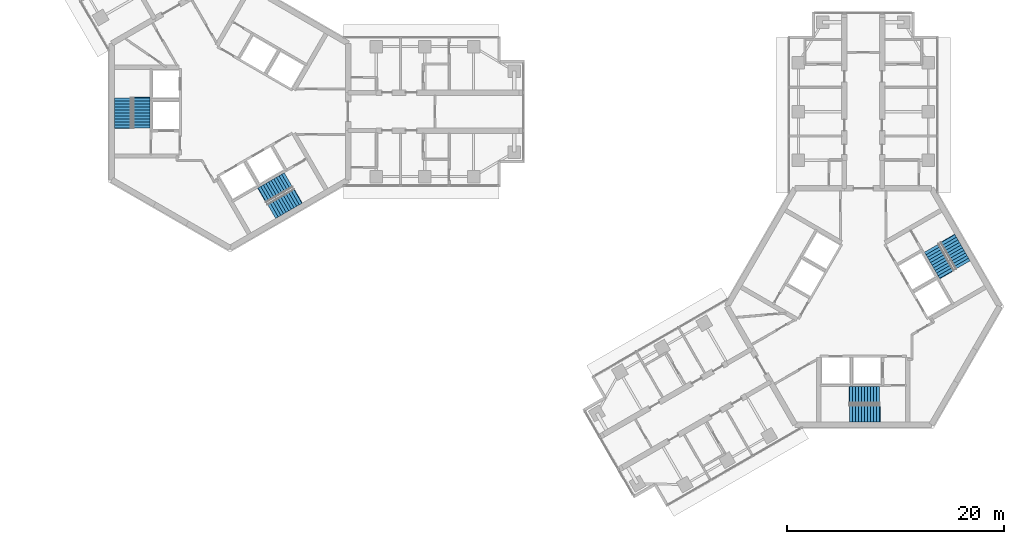
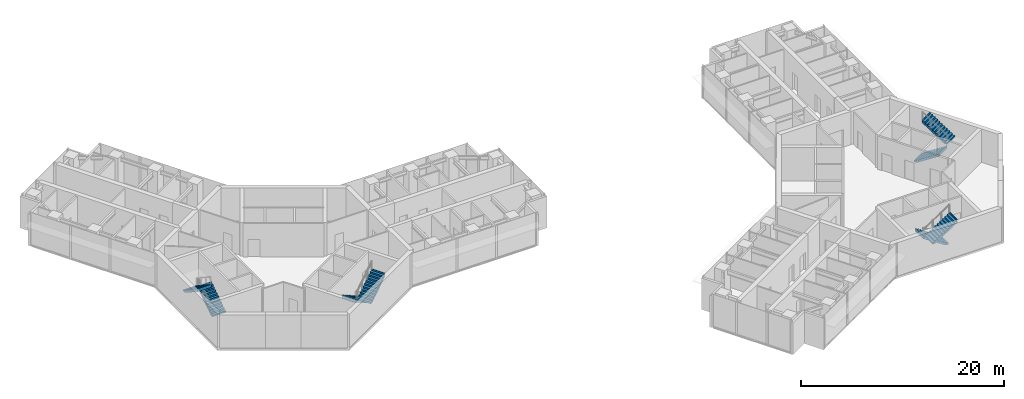
# One storey, part 16 of 17: 8 stair flights, 4 elements without a shape of their own.
"""IFC4 building model written with IfcOpenShell, lengths in metres."""

from ifc_helpers import new_model, si_unit, direction, frame, origin, place, context, subcontext, project, spatial, polyline, outline, extrude, material, type_object, element, aggregate, save


model = new_model("IFC4")

# Units and contexts
model_context = context("Model", 3, precision=1e-05, world=origin(), true_north=direction((0.0, 1.0)))
body_context = subcontext(model_context, "Body", "Model", "MODEL_VIEW")
ifc_project = project(units=[si_unit("LENGTHUNIT", "METRE"), si_unit("AREAUNIT", "SQUARE_METRE"), si_unit("VOLUMEUNIT", "CUBIC_METRE"), si_unit("PLANEANGLEUNIT", "RADIAN"), si_unit("MASSUNIT", "GRAM", prefix="KILO")], contexts=[model_context])

# Site, building, storey
site_placement = place(None, origin())
site = spatial("IfcSite", under=ifc_project, at=site_placement, CompositionType="ELEMENT")
building_placement = place(site_placement, origin())
building = spatial("IfcBuilding", under=site, at=building_placement, Name="Upepo Twin Towers", CompositionType="ELEMENT")
storey_placement = place(building_placement, frame((0.0, 0.0, 210.5)))
storey = spatial("IfcBuildingStorey", under=building, at=storey_placement, Name="L51", CompositionType="ELEMENT", Elevation=210.5)

# Stair, stair flights
ifc_material_1 = material(Name="Concrete C40/50", Category="concrete")
stair_type = type_object("IfcStairType", Name="Core stair, two flights", PredefinedType="HALF_TURN_STAIR", material=ifc_material_1)
stair_1_placement = place(storey_placement, origin())
stair_1 = element("IfcStair", 1, at=stair_1_placement, inside=storey, type_object=stair_type, Name="T1 stair S1 L51", PredefinedType="HALF_TURN_STAIR")
ifc_material_2 = material(Name="Concrete C40/50", Category="concrete")
stair_flight_type = type_object("IfcStairFlightType", Name="Stair flight 1550 RC", PredefinedType="STRAIGHT", material=ifc_material_2)
stair_flight_1_placement = place(storey_placement, frame((-8.175048828125, -1.52001953125, 0.0), z_axis=(0.0, 0.0, 1.0), x_axis=(0.0, 1.0, 0.0)))
stair_flight_1 = element("IfcStairFlight", 2, at=stair_flight_1_placement, type_object=stair_flight_type, Name="Stair S1 flight 1", NumberOfRisers=11, NumberOfTreads=10, PredefinedType="STRAIGHT", RiserHeight=0.181818182, TreadLength=0.28, context=body_context, shape_type="SweptSolid", body=[
    extrude(outline(polyline([(0.0, 0.0), (0.0, 0.181884765625), (0.280029296875, 0.181884765625), (0.280029296875, 0.363525390625), (0.56005859375, 0.363525390625), (0.56005859375, 0.54541015625), (0.840087890625, 0.54541015625), (0.840087890625, 0.727294921875), (1.1201171875, 0.727294921875), (1.1201171875, 0.9091796875), (1.39990234375, 0.9091796875), (1.39990234375, 1.0908203125), (1.679931640625, 1.0908203125), (1.679931640625, 1.272705078125), (1.9599609375, 1.272705078125), (1.9599609375, 1.45458984375), (2.239990234375, 1.45458984375), (2.239990234375, 1.636474609375), (2.52001953125, 1.636474609375), (2.52001953125, 1.818115234375), (2.800048828125, 1.818115234375), (2.800048828125, 2.0), (2.85009765625, 2.0), (2.85009765625, 1.639404296875), (0.3251953125, 0.0), (0.0, 0.0)])), frame((0.0, 0.77490234375, 0.0), z_axis=(0.0, -1.0, 0.0), x_axis=(1.0, 0.0, 0.0)), (0.0, 0.0, 1.0), 1.550048828125),
])
stair_flight_2_placement = place(storey_placement, frame((-9.88330078125, 1.280029296875, 2.0), z_axis=(0.0, 0.0, 1.0), x_axis=(0.0, -1.0, 0.0)))
stair_flight_2 = element("IfcStairFlight", 3, at=stair_flight_2_placement, type_object=stair_flight_type, Name="Stair S1 flight 2", NumberOfRisers=11, NumberOfTreads=10, PredefinedType="STRAIGHT", RiserHeight=0.181818182, TreadLength=0.28, context=body_context, shape_type="SweptSolid", body=[
    extrude(outline(polyline([(0.0, 0.0), (0.0, 0.181884765625), (0.280029296875, 0.181884765625), (0.280029296875, 0.363525390625), (0.56005859375, 0.363525390625), (0.56005859375, 0.54541015625), (0.840087890625, 0.54541015625), (0.840087890625, 0.727294921875), (1.1201171875, 0.727294921875), (1.1201171875, 0.9091796875), (1.39990234375, 0.9091796875), (1.39990234375, 1.0908203125), (1.679931640625, 1.0908203125), (1.679931640625, 1.272705078125), (1.9599609375, 1.272705078125), (1.9599609375, 1.45458984375), (2.239990234375, 1.45458984375), (2.239990234375, 1.636474609375), (2.52001953125, 1.636474609375), (2.52001953125, 1.818115234375), (2.800048828125, 1.818115234375), (2.800048828125, 2.0), (2.85009765625, 2.0), (2.85009765625, 1.639404296875), (0.3251953125, 0.0), (0.0, 0.0)])), frame((0.0, 0.77490234375, 0.0), z_axis=(0.0, -1.0, 0.0), x_axis=(1.0, 0.0, 0.0)), (0.0, 0.0, 1.0), 1.550048828125),
])
aggregate(stair_1, [stair_flight_1, stair_flight_2])

stair_2_placement = place(storey_placement, origin())
stair_2 = element("IfcStair", 4, at=stair_2_placement, inside=storey, type_object=stair_type, Name="T1 stair S2 L51", PredefinedType="HALF_TURN_STAIR")
stair_flight_3_placement = place(storey_placement, frame((5.40380859375, -6.31982421875, 0.0), z_axis=(0.0, 0.0, 1.0), x_axis=(-0.866025403784, -0.5, 0.0)))
stair_flight_3 = element("IfcStairFlight", 5, at=stair_flight_3_placement, type_object=stair_flight_type, Name="Stair S2 flight 1", NumberOfRisers=11, NumberOfTreads=10, PredefinedType="STRAIGHT", RiserHeight=0.181818182, TreadLength=0.28, context=body_context, shape_type="SweptSolid", body=[
    extrude(outline(polyline([(0.0, 0.0), (0.0, 0.181884765625), (0.280029296875, 0.181884765625), (0.280029296875, 0.363525390625), (0.56005859375, 0.363525390625), (0.56005859375, 0.54541015625), (0.840087890625, 0.54541015625), (0.840087890625, 0.727294921875), (1.1201171875, 0.727294921875), (1.1201171875, 0.9091796875), (1.39990234375, 0.9091796875), (1.39990234375, 1.0908203125), (1.679931640625, 1.0908203125), (1.679931640625, 1.272705078125), (1.9599609375, 1.272705078125), (1.9599609375, 1.45458984375), (2.239990234375, 1.45458984375), (2.239990234375, 1.636474609375), (2.52001953125, 1.636474609375), (2.52001953125, 1.818115234375), (2.800048828125, 1.818115234375), (2.800048828125, 2.0), (2.85009765625, 2.0), (2.85009765625, 1.639404296875), (0.3251953125, 0.0), (0.0, 0.0)])), frame((0.0, 0.77490234375, 0.0), z_axis=(0.0, -1.0, 0.0), x_axis=(1.0, 0.0, 0.0)), (0.0, 0.0, 1.0), 1.550048828125),
])
stair_flight_4_placement = place(storey_placement, frame((3.833251953125, -9.19921875, 2.0), z_axis=(0.0, 0.0, 1.0), x_axis=(0.866025403784, 0.5, 0.0)))
stair_flight_4 = element("IfcStairFlight", 6, at=stair_flight_4_placement, type_object=stair_flight_type, Name="Stair S2 flight 2", NumberOfRisers=11, NumberOfTreads=10, PredefinedType="STRAIGHT", RiserHeight=0.181818182, TreadLength=0.28, context=body_context, shape_type="SweptSolid", body=[
    extrude(outline(polyline([(0.0, 0.0), (0.0, 0.181884765625), (0.280029296875, 0.181884765625), (0.280029296875, 0.363525390625), (0.56005859375, 0.363525390625), (0.56005859375, 0.54541015625), (0.840087890625, 0.54541015625), (0.840087890625, 0.727294921875), (1.1201171875, 0.727294921875), (1.1201171875, 0.9091796875), (1.39990234375, 0.9091796875), (1.39990234375, 1.0908203125), (1.679931640625, 1.0908203125), (1.679931640625, 1.272705078125), (1.9599609375, 1.272705078125), (1.9599609375, 1.45458984375), (2.239990234375, 1.45458984375), (2.239990234375, 1.636474609375), (2.52001953125, 1.636474609375), (2.52001953125, 1.818115234375), (2.800048828125, 1.818115234375), (2.800048828125, 2.0), (2.85009765625, 2.0), (2.85009765625, 1.639404296875), (0.3251953125, 0.0), (0.0, 0.0)])), frame((0.0, 0.77490234375, 0.0), z_axis=(0.0, -1.0, 0.0), x_axis=(1.0, 0.0, 0.0)), (0.0, 0.0, 1.0), 1.550048828125),
])
aggregate(stair_2, [stair_flight_3, stair_flight_4])

stair_3_placement = place(storey_placement, origin())
stair_3 = element("IfcStair", 7, at=stair_3_placement, inside=storey, type_object=stair_type, Name="T2 stair S1 L51", PredefinedType="HALF_TURN_STAIR")
stair_flight_5_placement = place(storey_placement, frame((60.02001953125, -26.175048828125, 0.0), z_axis=(0.0, 0.0, 1.0), x_axis=(-1.0, 0.0, 0.0)))
stair_flight_5 = element("IfcStairFlight", 8, at=stair_flight_5_placement, type_object=stair_flight_type, Name="Stair S1 flight 1", NumberOfRisers=11, NumberOfTreads=10, PredefinedType="STRAIGHT", RiserHeight=0.181818182, TreadLength=0.28, context=body_context, shape_type="SweptSolid", body=[
    extrude(outline(polyline([(0.0, 0.0), (0.0, 0.181884765625), (0.280029296875, 0.181884765625), (0.280029296875, 0.363525390625), (0.56005859375, 0.363525390625), (0.56005859375, 0.54541015625), (0.840087890625, 0.54541015625), (0.840087890625, 0.727294921875), (1.1201171875, 0.727294921875), (1.1201171875, 0.9091796875), (1.39990234375, 0.9091796875), (1.39990234375, 1.0908203125), (1.679931640625, 1.0908203125), (1.679931640625, 1.272705078125), (1.9599609375, 1.272705078125), (1.9599609375, 1.45458984375), (2.239990234375, 1.45458984375), (2.239990234375, 1.636474609375), (2.52001953125, 1.636474609375), (2.52001953125, 1.818115234375), (2.800048828125, 1.818115234375), (2.800048828125, 2.0), (2.85009765625, 2.0), (2.85009765625, 1.639404296875), (0.3251953125, 0.0), (0.0, 0.0)])), frame((0.0, 0.77490234375, 0.0), z_axis=(0.0, -1.0, 0.0), x_axis=(1.0, 0.0, 0.0)), (0.0, 0.0, 1.0), 1.550048828125),
])
stair_flight_6_placement = place(storey_placement, frame((57.219970703125, -27.88330078125, 2.0), z_axis=(0.0, 0.0, 1.0), x_axis=(1.0, 0.0, 0.0)))
stair_flight_6 = element("IfcStairFlight", 9, at=stair_flight_6_placement, type_object=stair_flight_type, Name="Stair S1 flight 2", NumberOfRisers=11, NumberOfTreads=10, PredefinedType="STRAIGHT", RiserHeight=0.181818182, TreadLength=0.28, context=body_context, shape_type="SweptSolid", body=[
    extrude(outline(polyline([(0.0, 0.0), (0.0, 0.181884765625), (0.280029296875, 0.181884765625), (0.280029296875, 0.363525390625), (0.56005859375, 0.363525390625), (0.56005859375, 0.54541015625), (0.840087890625, 0.54541015625), (0.840087890625, 0.727294921875), (1.1201171875, 0.727294921875), (1.1201171875, 0.9091796875), (1.39990234375, 0.9091796875), (1.39990234375, 1.0908203125), (1.679931640625, 1.0908203125), (1.679931640625, 1.272705078125), (1.9599609375, 1.272705078125), (1.9599609375, 1.45458984375), (2.239990234375, 1.45458984375), (2.239990234375, 1.636474609375), (2.52001953125, 1.636474609375), (2.52001953125, 1.818115234375), (2.800048828125, 1.818115234375), (2.800048828125, 2.0), (2.85009765625, 2.0), (2.85009765625, 1.639404296875), (0.3251953125, 0.0), (0.0, 0.0)])), frame((0.0, 0.77490234375, 0.0), z_axis=(0.0, -1.0, 0.0), x_axis=(1.0, 0.0, 0.0)), (0.0, 0.0, 1.0), 1.550048828125),
])
aggregate(stair_3, [stair_flight_5, stair_flight_6])

stair_4_placement = place(storey_placement, origin())
stair_4 = element("IfcStair", 10, at=stair_4_placement, inside=storey, type_object=stair_type, Name="T2 stair S2 L51", PredefinedType="HALF_TURN_STAIR")
stair_flight_7_placement = place(storey_placement, frame((64.81982421875, -12.59619140625, 0.0), z_axis=(0.0, 0.0, 1.0), x_axis=(0.5, -0.866025403784, 0.0)))
stair_flight_7 = element("IfcStairFlight", 11, at=stair_flight_7_placement, type_object=stair_flight_type, Name="Stair S2 flight 1", NumberOfRisers=11, NumberOfTreads=10, PredefinedType="STRAIGHT", RiserHeight=0.181818182, TreadLength=0.28, context=body_context, shape_type="SweptSolid", body=[
    extrude(outline(polyline([(0.0, 0.0), (0.0, 0.181884765625), (0.280029296875, 0.181884765625), (0.280029296875, 0.363525390625), (0.56005859375, 0.363525390625), (0.56005859375, 0.54541015625), (0.840087890625, 0.54541015625), (0.840087890625, 0.727294921875), (1.1201171875, 0.727294921875), (1.1201171875, 0.9091796875), (1.39990234375, 0.9091796875), (1.39990234375, 1.0908203125), (1.679931640625, 1.0908203125), (1.679931640625, 1.272705078125), (1.9599609375, 1.272705078125), (1.9599609375, 1.45458984375), (2.239990234375, 1.45458984375), (2.239990234375, 1.636474609375), (2.52001953125, 1.636474609375), (2.52001953125, 1.818115234375), (2.800048828125, 1.818115234375), (2.800048828125, 2.0), (2.85009765625, 2.0), (2.85009765625, 1.639404296875), (0.3251953125, 0.0), (0.0, 0.0)])), frame((0.0, 0.77490234375, 0.0), z_axis=(0.0, -1.0, 0.0), x_axis=(1.0, 0.0, 0.0)), (0.0, 0.0, 1.0), 1.550048828125),
])
stair_flight_8_placement = place(storey_placement, frame((67.69921875, -14.166748046875, 2.0), z_axis=(0.0, 0.0, 1.0), x_axis=(-0.5, 0.866025403784, 0.0)))
stair_flight_8 = element("IfcStairFlight", 12, at=stair_flight_8_placement, type_object=stair_flight_type, Name="Stair S2 flight 2", NumberOfRisers=11, NumberOfTreads=10, PredefinedType="STRAIGHT", RiserHeight=0.181818182, TreadLength=0.28, context=body_context, shape_type="SweptSolid", body=[
    extrude(outline(polyline([(0.0, 0.0), (0.0, 0.181884765625), (0.280029296875, 0.181884765625), (0.280029296875, 0.363525390625), (0.56005859375, 0.363525390625), (0.56005859375, 0.54541015625), (0.840087890625, 0.54541015625), (0.840087890625, 0.727294921875), (1.1201171875, 0.727294921875), (1.1201171875, 0.9091796875), (1.39990234375, 0.9091796875), (1.39990234375, 1.0908203125), (1.679931640625, 1.0908203125), (1.679931640625, 1.272705078125), (1.9599609375, 1.272705078125), (1.9599609375, 1.45458984375), (2.239990234375, 1.45458984375), (2.239990234375, 1.636474609375), (2.52001953125, 1.636474609375), (2.52001953125, 1.818115234375), (2.800048828125, 1.818115234375), (2.800048828125, 2.0), (2.85009765625, 2.0), (2.85009765625, 1.639404296875), (0.3251953125, 0.0), (0.0, 0.0)])), frame((0.0, 0.77490234375, 0.0), z_axis=(0.0, -1.0, 0.0), x_axis=(1.0, 0.0, 0.0)), (0.0, 0.0, 1.0), 1.550048828125),
])
aggregate(stair_4, [stair_flight_7, stair_flight_8])

save(model, "model.ifc")
